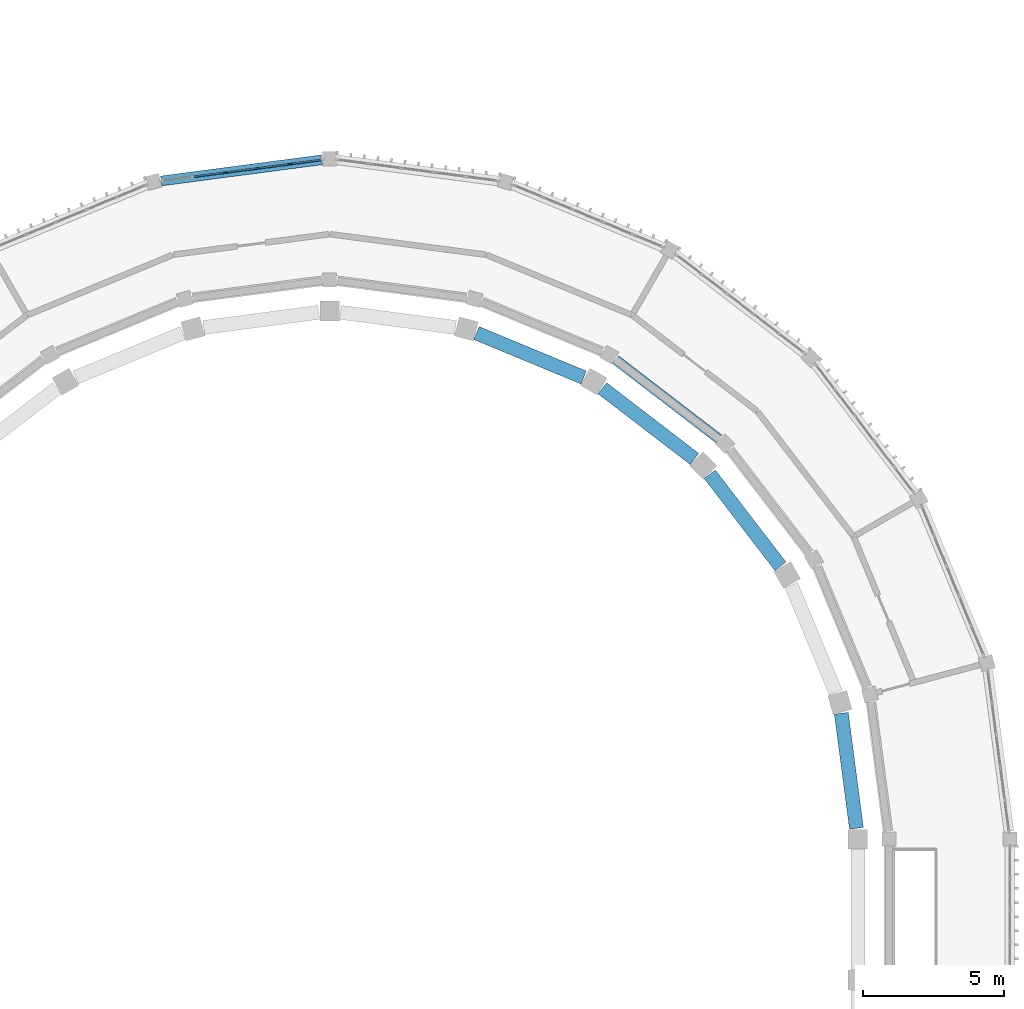
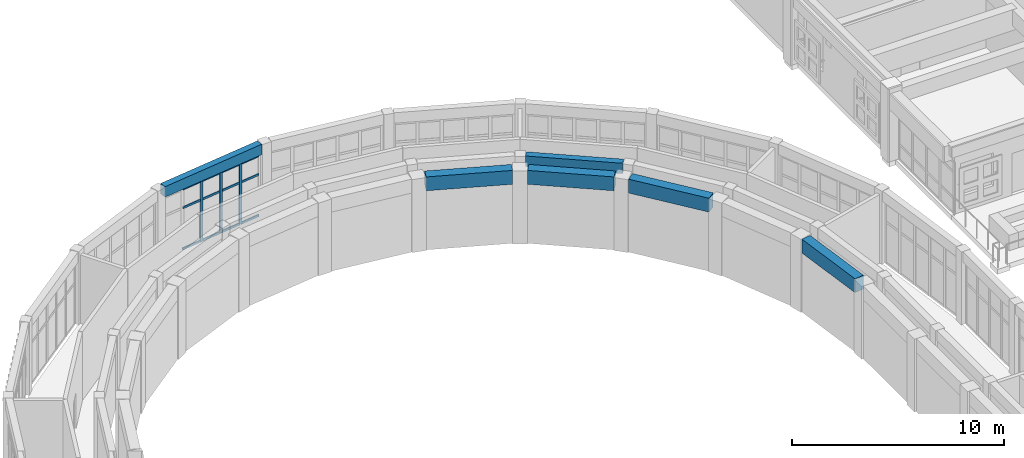
# One storey, part 20 of 99: 15 members, 6 beams, 1 element without a shape of its own.
"""IFC4 building model written with IfcOpenShell, lengths in metres."""

from ifc_helpers import new_model, si_unit, direction, frame, origin, origin_2d, place, context, subcontext, project, spatial, rectangle, extrude, material, layer, layer_set, material_profile, profile_set, type_object, element, aggregate, save


model = new_model("IFC4")

# Units and contexts
model_context = context("Model", 3, precision=1e-05, world=origin(), true_north=direction((0.0, 1.0)))
body_context = subcontext(model_context, "Body", "Model", "MODEL_VIEW")
ifc_project = project(units=[si_unit("LENGTHUNIT", "METRE"), si_unit("AREAUNIT", "SQUARE_METRE"), si_unit("VOLUMEUNIT", "CUBIC_METRE"), si_unit("PLANEANGLEUNIT", "RADIAN"), si_unit("MASSUNIT", "GRAM", prefix="KILO")], contexts=[model_context])

# Site, building, storey
site_placement = place(None, origin())
site = spatial("IfcSite", under=ifc_project, at=site_placement, CompositionType="ELEMENT")
building_placement = place(site_placement, origin())
building = spatial("IfcBuilding", under=site, at=building_placement, Name="Wasatch Bagh Community Centre", CompositionType="ELEMENT")
storey_placement = place(building_placement, frame((0.0, 0.0, 4.199951171875)))
storey = spatial("IfcBuildingStorey", under=building, at=storey_placement, Name="L01", CompositionType="ELEMENT", Elevation=4.199951171875)

# Curtain wall, members
ifc_material_1 = material(Name="Aluminium curtain wall frame with low-iron insulated glass", Category="aluminium")
ifc_layer = layer(ifc_material_1, 0.14990234375)
ifc_layer_set = layer_set([ifc_layer], Name="Aluminium curtain wall frame with low-iron insulated glass")
curtain_wall_type = type_object("IfcCurtainWallType", Name="Drum curtain wall DR-CW2", PredefinedType="NOTDEFINED", material=ifc_layer_set)
curtain_wall_placement = place(storey_placement, origin())
curtain_wall = element("IfcCurtainWall", 1, at=curtain_wall_placement, inside=storey, type_object=curtain_wall_type, Name="Curtain wall DR-CW2 25", PredefinedType="NOTDEFINED")
ifc_material_2 = material(Name="Aluminium curtain wall frame", Category="aluminium")
ifc_material_profile_1 = material_profile(ifc_material_2, rectangle(XDim=0.06005859375, YDim=0.159912109375, at=origin_2d()), Name="Drum mullion DR-CW2")
ifc_profile_set_1 = profile_set([ifc_material_profile_1], Name="Aluminium curtain wall frame")
member_type_1 = type_object("IfcMemberType", Name="Drum mullion DR-CW2", PredefinedType="MULLION", material=ifc_profile_set_1)
member_1_placement = place(storey_placement, frame((34.59375, 88.96484375, 0.0), z_axis=(0.0, 0.0, 1.0), x_axis=(0.130526192185, -0.991444861378, 0.0)))
member_1 = element("IfcMember", 2, at=member_1_placement, type_object=member_type_1, Name="DR-CW2 mullion 2", PredefinedType="MULLION", context=body_context, shape_type="SweptSolid", body=[
    extrude(rectangle(XDim=0.06005859375, YDim=0.159912109375, at=origin_2d()), origin(), (0.0, 0.0, 1.0), 3.5),
])
member_2_placement = place(storey_placement, frame((33.44775390625, 88.81396484375, 0.0), z_axis=(0.0, 0.0, 1.0), x_axis=(0.130526192185, -0.991444861378, 0.0)))
member_2 = element("IfcMember", 3, at=member_2_placement, type_object=member_type_1, Name="DR-CW2 mullion 3", PredefinedType="MULLION", context=body_context, shape_type="SweptSolid", body=[
    extrude(rectangle(XDim=0.06005859375, YDim=0.159912109375, at=origin_2d()), origin(), (0.0, 0.0, 1.0), 3.5),
])
member_3_placement = place(storey_placement, frame((32.3017578125, 88.6630859375, 0.0), z_axis=(0.0, 0.0, 1.0), x_axis=(0.130526192185, -0.991444861378, 0.0)))
member_3 = element("IfcMember", 4, at=member_3_placement, type_object=member_type_1, Name="DR-CW2 mullion 4", PredefinedType="MULLION", context=body_context, shape_type="SweptSolid", body=[
    extrude(rectangle(XDim=0.06005859375, YDim=0.159912109375, at=origin_2d()), origin(), (0.0, 0.0, 1.0), 3.5),
])

# Beams
ifc_material_3 = material(Name="Concrete C35", Category="concrete")
ifc_material_profile_2 = material_profile(ifc_material_3, rectangle(XDim=0.35009765625, YDim=0.60009765625, at=origin_2d()), Name="RC 350x600")
ifc_profile_set_2 = profile_set([ifc_material_profile_2], Name="Concrete C35")
beam_type_1 = type_object("IfcBeamType", Name="Drum ring beam RC 350x600", PredefinedType="BEAM", material=ifc_profile_set_2)
beam_1_placement = place(storey_placement, frame((49.8173828125, 79.203857421875, 3.900146484375), z_axis=(-0.793352555691, 0.608762451519, 0.0), x_axis=(-0.608762451519, -0.793352555691, 0.0)))
element("IfcBeam", 5, at=beam_1_placement, inside=storey, type_object=beam_type_1, Name="Ring beam 8.4 DI-N3-DI-N4", PredefinedType="BEAM", context=body_context, shape_type="SweptSolid", body=[
    extrude(rectangle(XDim=0.35009765625, YDim=0.60009765625, at=origin_2d()), origin(), (0.0, 0.0, 1.0), 4.63037109375),
])
beam_2_placement = place(storey_placement, frame((35.7265625, 89.114013671875, 3.900146484375), z_axis=(-0.991443025046, -0.130540139759, 0.0), x_axis=(0.130540139759, -0.991443025046, 0.0)))
element("IfcBeam", 6, at=beam_2_placement, inside=storey, type_object=beam_type_1, Name="Ring beam 8.4 DO-N6-DO-N7", PredefinedType="BEAM", context=body_context, shape_type="SweptSolid", body=[
    extrude(rectangle(XDim=0.35009765625, YDim=0.60009765625, at=origin_2d()), origin(), (0.0, 0.0, 1.0), 5.7529296875),
])

# Member
ifc_material_profile_3 = material_profile(ifc_material_2, rectangle(XDim=0.06005859375, YDim=0.1201171875, at=origin_2d()), Name="Drum transom DR-CW2")
ifc_profile_set_3 = profile_set([ifc_material_profile_3], Name="Aluminium curtain wall frame")
member_type_2 = type_object("IfcMemberType", Name="Drum transom DR-CW2", PredefinedType="USERDEFINED", material=ifc_profile_set_3)
member_4_placement = place(storey_placement, frame((35.68017578125, 89.10791015625, 0.030029296875), z_axis=(-0.991438694485, -0.130573025845, 0.0), x_axis=(0.130573025845, -0.991438694485, 0.0)))
member_4 = element("IfcMember", 7, at=member_4_placement, type_object=member_type_2, Name="DR-CW2 transom 1.1", ObjectType="TRANSOM", PredefinedType="USERDEFINED", context=body_context, shape_type="SweptSolid", body=[
    extrude(rectangle(XDim=0.06005859375, YDim=0.1201171875, at=origin_2d()), origin(), (0.0, 0.0, 1.0), 1.065673828125),
])

member_5_placement = place(storey_placement, frame((35.68017578125, 89.10791015625, 2.400146484375), z_axis=(-0.991438694485, -0.130573025845, 0.0), x_axis=(0.130573025845, -0.991438694485, 0.0)))
member_5 = element("IfcMember", 8, at=member_5_placement, type_object=member_type_2, Name="DR-CW2 transom 1.2", ObjectType="TRANSOM", PredefinedType="USERDEFINED", context=body_context, shape_type="SweptSolid", body=[
    extrude(rectangle(XDim=0.06005859375, YDim=0.1201171875, at=origin_2d()), origin(), (0.0, 0.0, 1.0), 1.065673828125),
])

member_6_placement = place(storey_placement, frame((35.68017578125, 89.10791015625, 3.469970703125), z_axis=(-0.991438694485, -0.130573025845, 0.0), x_axis=(0.130573025845, -0.991438694485, 0.0)))
member_6 = element("IfcMember", 9, at=member_6_placement, type_object=member_type_2, Name="DR-CW2 transom 1.3", ObjectType="TRANSOM", PredefinedType="USERDEFINED", context=body_context, shape_type="SweptSolid", body=[
    extrude(rectangle(XDim=0.06005859375, YDim=0.1201171875, at=origin_2d()), origin(), (0.0, 0.0, 1.0), 1.065673828125),
])

member_7_placement = place(storey_placement, frame((34.56396484375, 88.9609375, 0.030029296875), z_axis=(-0.99144064028, -0.130558250608, 0.0), x_axis=(0.130558250608, -0.99144064028, 0.0)))
member_7 = element("IfcMember", 10, at=member_7_placement, type_object=member_type_2, Name="DR-CW2 transom 2.1", ObjectType="TRANSOM", PredefinedType="USERDEFINED", context=body_context, shape_type="SweptSolid", body=[
    extrude(rectangle(XDim=0.06005859375, YDim=0.1201171875, at=origin_2d()), origin(), (0.0, 0.0, 1.0), 1.095703125),
])

member_8_placement = place(storey_placement, frame((34.56396484375, 88.9609375, 2.400146484375), z_axis=(-0.99144064028, -0.130558250608, 0.0), x_axis=(0.130558250608, -0.99144064028, 0.0)))
member_8 = element("IfcMember", 11, at=member_8_placement, type_object=member_type_2, Name="DR-CW2 transom 2.2", ObjectType="TRANSOM", PredefinedType="USERDEFINED", context=body_context, shape_type="SweptSolid", body=[
    extrude(rectangle(XDim=0.06005859375, YDim=0.1201171875, at=origin_2d()), origin(), (0.0, 0.0, 1.0), 1.095703125),
])

member_9_placement = place(storey_placement, frame((34.56396484375, 88.9609375, 3.469970703125), z_axis=(-0.99144064028, -0.130558250608, 0.0), x_axis=(0.130558250608, -0.99144064028, 0.0)))
member_9 = element("IfcMember", 12, at=member_9_placement, type_object=member_type_2, Name="DR-CW2 transom 2.3", ObjectType="TRANSOM", PredefinedType="USERDEFINED", context=body_context, shape_type="SweptSolid", body=[
    extrude(rectangle(XDim=0.06005859375, YDim=0.1201171875, at=origin_2d()), origin(), (0.0, 0.0, 1.0), 1.095703125),
])

member_10_placement = place(storey_placement, frame((33.41796875, 88.81005859375, 0.030029296875), z_axis=(-0.99144064028, -0.130558250608, 0.0), x_axis=(0.130558250608, -0.99144064028, 0.0)))
member_10 = element("IfcMember", 13, at=member_10_placement, type_object=member_type_2, Name="DR-CW2 transom 3.1", ObjectType="TRANSOM", PredefinedType="USERDEFINED", context=body_context, shape_type="SweptSolid", body=[
    extrude(rectangle(XDim=0.06005859375, YDim=0.1201171875, at=origin_2d()), origin(), (0.0, 0.0, 1.0), 1.095703125),
])

member_11_placement = place(storey_placement, frame((33.41796875, 88.81005859375, 2.400146484375), z_axis=(-0.99144064028, -0.130558250608, 0.0), x_axis=(0.130558250608, -0.99144064028, 0.0)))
member_11 = element("IfcMember", 14, at=member_11_placement, type_object=member_type_2, Name="DR-CW2 transom 3.2", ObjectType="TRANSOM", PredefinedType="USERDEFINED", context=body_context, shape_type="SweptSolid", body=[
    extrude(rectangle(XDim=0.06005859375, YDim=0.1201171875, at=origin_2d()), origin(), (0.0, 0.0, 1.0), 1.095703125),
])

member_12_placement = place(storey_placement, frame((33.41796875, 88.81005859375, 3.469970703125), z_axis=(-0.99144064028, -0.130558250608, 0.0), x_axis=(0.130558250608, -0.99144064028, 0.0)))
member_12 = element("IfcMember", 15, at=member_12_placement, type_object=member_type_2, Name="DR-CW2 transom 3.3", ObjectType="TRANSOM", PredefinedType="USERDEFINED", context=body_context, shape_type="SweptSolid", body=[
    extrude(rectangle(XDim=0.06005859375, YDim=0.1201171875, at=origin_2d()), origin(), (0.0, 0.0, 1.0), 1.095703125),
])

member_13_placement = place(storey_placement, frame((32.27197265625, 88.6591796875, 0.030029296875), z_axis=(-0.99144064028, -0.130558250608, 0.0), x_axis=(0.130558250608, -0.99144064028, 0.0)))
member_13 = element("IfcMember", 16, at=member_13_placement, type_object=member_type_2, Name="DR-CW2 transom 4.1", ObjectType="TRANSOM", PredefinedType="USERDEFINED", context=body_context, shape_type="SweptSolid", body=[
    extrude(rectangle(XDim=0.06005859375, YDim=0.1201171875, at=origin_2d()), origin(), (0.0, 0.0, 1.0), 1.095703125),
])

member_14_placement = place(storey_placement, frame((32.27197265625, 88.6591796875, 2.400146484375), z_axis=(-0.99144064028, -0.130558250608, 0.0), x_axis=(0.130558250608, -0.99144064028, 0.0)))
member_14 = element("IfcMember", 17, at=member_14_placement, type_object=member_type_2, Name="DR-CW2 transom 4.2", ObjectType="TRANSOM", PredefinedType="USERDEFINED", context=body_context, shape_type="SweptSolid", body=[
    extrude(rectangle(XDim=0.06005859375, YDim=0.1201171875, at=origin_2d()), origin(), (0.0, 0.0, 1.0), 1.095703125),
])

member_15_placement = place(storey_placement, frame((32.27197265625, 88.6591796875, 3.469970703125), z_axis=(-0.99144064028, -0.130558250608, 0.0), x_axis=(0.130558250608, -0.99144064028, 0.0)))
member_15 = element("IfcMember", 18, at=member_15_placement, type_object=member_type_2, Name="DR-CW2 transom 4.3", ObjectType="TRANSOM", PredefinedType="USERDEFINED", context=body_context, shape_type="SweptSolid", body=[
    extrude(rectangle(XDim=0.06005859375, YDim=0.1201171875, at=origin_2d()), origin(), (0.0, 0.0, 1.0), 1.095703125),
])

aggregate(curtain_wall, [member_1, member_2, member_3, member_4, member_5, member_6, member_7, member_8, member_9, member_10, member_11, member_12, member_13, member_14, member_15])

# Beams
ifc_material_profile_4 = material_profile(ifc_material_3, rectangle(XDim=0.5, YDim=0.800048828125, at=origin_2d()), Name="RC 500x800")
ifc_profile_set_4 = profile_set([ifc_material_profile_4], Name="Concrete C35")
beam_type_2 = type_object("IfcBeamType", Name="MH ring beam RC 500x800", PredefinedType="BEAM", material=ifc_profile_set_4)
for number, where, z_axis, x_axis, name in (
    (19, (54.699462890625, 65.383056640625, 3.800048828125), (-0.130483623501, 0.991450464722, 0.0), (-0.991450464722, -0.130483623501, 0.0), "Ring beam 8.4 E7-N1"),
    (20, (52.002685546875, 74.681640625, 3.800048828125), (-0.60877717335, 0.793341258985, 0.0), (-0.793341258985, -0.60877717335, 0.0), "Ring beam 8.4 N2-N3"),
    (21, (48.95166015625, 78.493408203125, 3.800048828125), (-0.793341258985, 0.60877717335, 0.0), (-0.60877717335, -0.793341258985, 0.0), "Ring beam 8.4 N3-N4"),
    (22, (45.01806640625, 81.3857421875, 3.800048828125), (-0.923877504262, 0.382688328955, 0.0), (-0.382688328955, -0.923877504262, 0.0), "Ring beam 8.4 N4-N5"),
):
    element("IfcBeam", number, at=place(storey_placement, frame(where, z_axis=z_axis, x_axis=x_axis)), inside=storey, type_object=beam_type_2, Name=name, PredefinedType="BEAM", context=body_context, shape_type="SweptSolid", body=[
        extrude(rectangle(XDim=0.5, YDim=0.800048828125, at=origin_2d()), origin(), (0.0, 0.0, 1.0), 4.121826171875),
    ])

save(model, "model.ifc")
